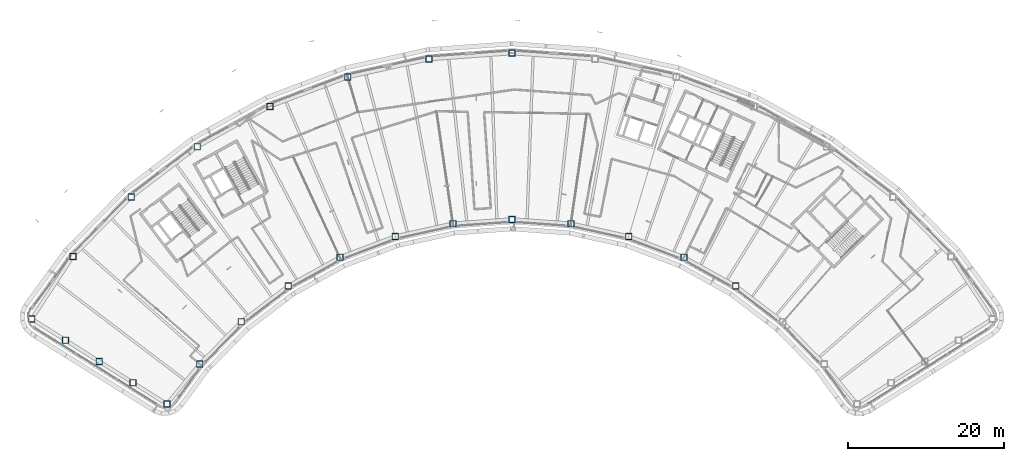
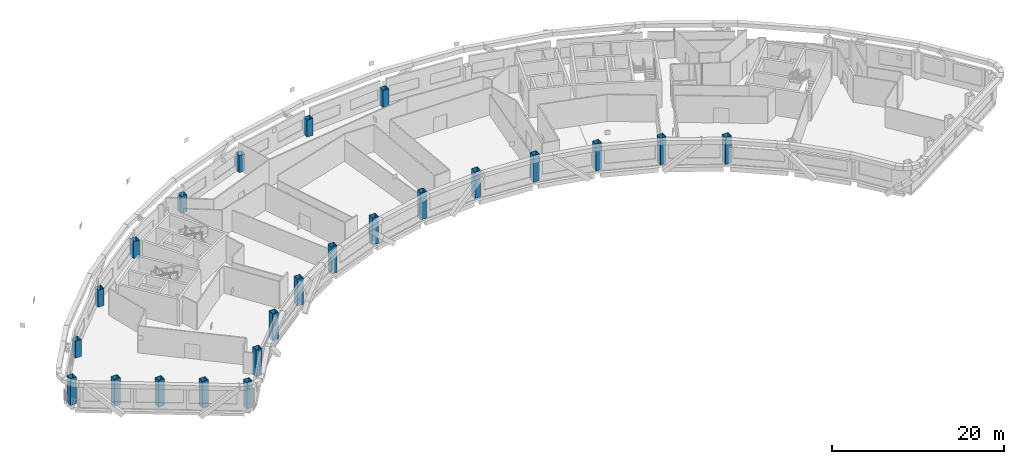
# One storey, part 1 of 21: 23 columns.
"""IFC4 building model written with IfcOpenShell, lengths in metres."""

from ifc_helpers import new_model, si_unit, direction, frame, origin, origin_2d, place, context, subcontext, project, spatial, hollow_rectangle, extrude, material, material_profile, profile_set, type_object, element, save


model = new_model("IFC4")

# Units and contexts
model_context = context("Model", 3, precision=1e-05, world=origin(), true_north=direction((0.0, 1.0)))
body_context = subcontext(model_context, "Body", "Model", "MODEL_VIEW")
ifc_project = project(units=[si_unit("LENGTHUNIT", "METRE"), si_unit("AREAUNIT", "SQUARE_METRE"), si_unit("VOLUMEUNIT", "CUBIC_METRE"), si_unit("PLANEANGLEUNIT", "RADIAN"), si_unit("MASSUNIT", "GRAM", prefix="KILO")], contexts=[model_context])

# Site, building, storey
site_placement = place(None, origin())
site = spatial("IfcSite", under=ifc_project, at=site_placement, CompositionType="ELEMENT")
building_placement = place(site_placement, origin())
building = spatial("IfcBuilding", under=site, at=building_placement, Name="Tuul Gate Civic Tower", CompositionType="ELEMENT")
storey_placement = place(building_placement, frame((0.0, 0.0, 311.0)))
storey = spatial("IfcBuildingStorey", under=building, at=storey_placement, Name="Level 70", CompositionType="ELEMENT", Elevation=311.0)

# Columns
ifc_material = material(Name="Steel S355", Category="steel")
ifc_material_profile = material_profile(ifc_material, hollow_rectangle(XDim=0.800048828125, YDim=0.800048828125, WallThickness=0.031982421875, at=origin_2d()), Name="BOX800x800x32")
ifc_profile_set = profile_set([ifc_material_profile], Name="Steel S355")
column_type = type_object("IfcColumnType", Name="STR-COLUMN-BOX800x800x32", PredefinedType="COLUMN", material=ifc_profile_set)
for number, where, z_axis, x_axis, name in (
    (1, (6.7880859375, 9.23193359375, 0.0), (0.0, 0.0, 1.0), (1.0, 0.0, 0.0), "Column"),
    (2, (-3.861083984375, 8.4599609375, 0.0), (0.0, 0.0, 1.0), (1.0, 0.0, 0.0), "Column"),
    (3, (-14.2880859375, 6.162109375, 0.0), (0.0, 0.0, 1.0), (1.0, 0.0, 0.0), "Column"),
    (4, (-24.27587890625, 2.385009765625, 0.0), (0.0, 0.0, 1.0), (1.0, 0.0, 0.0), "Column"),
    (5, (-33.614013671875, -2.791015625, 0.0), (0.0, 0.0, 1.0), (1.0, 0.0, 0.0), "Column"),
    (6, (-42.10888671875, -9.259033203125, 0.0), (0.0, 0.0, 1.0), (1.0, 0.0, 0.0), "Column"),
    (7, (-49.583984375, -16.884033203125, 0.0), (0.0, 0.0, 1.0), (1.0, 0.0, 0.0), "Column"),
):
    element("IfcColumn", number, at=place(storey_placement, frame(where, z_axis=z_axis, x_axis=x_axis)), inside=storey, type_object=column_type, Name=name, PredefinedType="COLUMN", context=body_context, shape_type="SweptSolid", body=[
        extrude(hollow_rectangle(XDim=0.800048828125, YDim=0.800048828125, WallThickness=0.031982421875, at=origin_2d()), origin(), (0.0, 0.0, 1.0), 2.39990234375),
    ])
for number, where, z_axis, x_axis, name in (
    (8, (-54.883056640625, -24.89697265625, 0.0), (0.0, 0.0, 1.0), (1.0, 0.0, 0.0), "Column"),
    (9, (-50.5400390625, -27.631103515625, 0.0), (0.0, 0.0, 1.0), (1.0, 0.0, 0.0), "Column"),
    (10, (-46.197998046875, -30.365966796875, 0.0), (0.0, 0.0, 1.0), (1.0, 0.0, 0.0), "Column"),
    (11, (-41.85498046875, -33.10009765625, 0.0), (0.0, 0.0, 1.0), (1.0, 0.0, 0.0), "Column"),
    (12, (-37.512939453125, -35.8349609375, 0.0), (0.0, 0.0, 1.0), (1.0, 0.0, 0.0), "Column"),
    (13, (-33.29296875, -30.693115234375, 0.0), (0.0, 0.0, 1.0), (1.0, 0.0, 0.0), "Column"),
    (14, (-27.97900390625, -25.27099609375, 0.0), (0.0, 0.0, 1.0), (1.0, 0.0, 0.0), "Column"),
    (15, (-21.93798828125, -20.672119140625, 0.0), (0.0, 0.0, 1.0), (1.0, 0.0, 0.0), "Column"),
    (16, (-15.298095703125, -16.991943359375, 0.0), (0.0, 0.0, 1.0), (1.0, 0.0, 0.0), "Column"),
    (17, (-8.197998046875, -14.306884765625, 0.0), (0.0, 0.0, 1.0), (1.0, 0.0, 0.0), "Column"),
    (18, (-0.783935546875, -12.673095703125, 0.0), (0.0, 0.0, 1.0), (1.0, 0.0, 0.0), "Column"),
    (19, (6.7880859375, -12.1240234375, 0.0), (0.0, 0.0, 1.0), (1.0, 0.0, 0.0), "Column"),
    (20, (14.360107421875, -12.673095703125, 0.0), (0.0, 0.0, 1.0), (1.0, 0.0, 0.0), "Column"),
    (21, (21.77392578125, -14.306884765625, 0.0), (0.0, 0.0, 1.0), (1.0, 0.0, 0.0), "Column"),
    (22, (28.875, -16.991943359375, 0.0), (0.0, 0.0, 1.0), (1.0, 0.0, 0.0), "Column"),
    (23, (35.514892578125, -20.672119140625, 0.0), (0.0, 0.0, 1.0), (1.0, 0.0, 0.0), "Column"),
):
    element("IfcColumn", number, at=place(storey_placement, frame(where, z_axis=z_axis, x_axis=x_axis)), inside=storey, type_object=column_type, Name=name, PredefinedType="COLUMN", context=body_context, shape_type="SweptSolid", body=[
        extrude(hollow_rectangle(XDim=0.800048828125, YDim=0.800048828125, WallThickness=0.031982421875, at=origin_2d()), origin(), (0.0, 0.0, 1.0), 3.800048828125),
    ])

save(model, "model.ifc")
